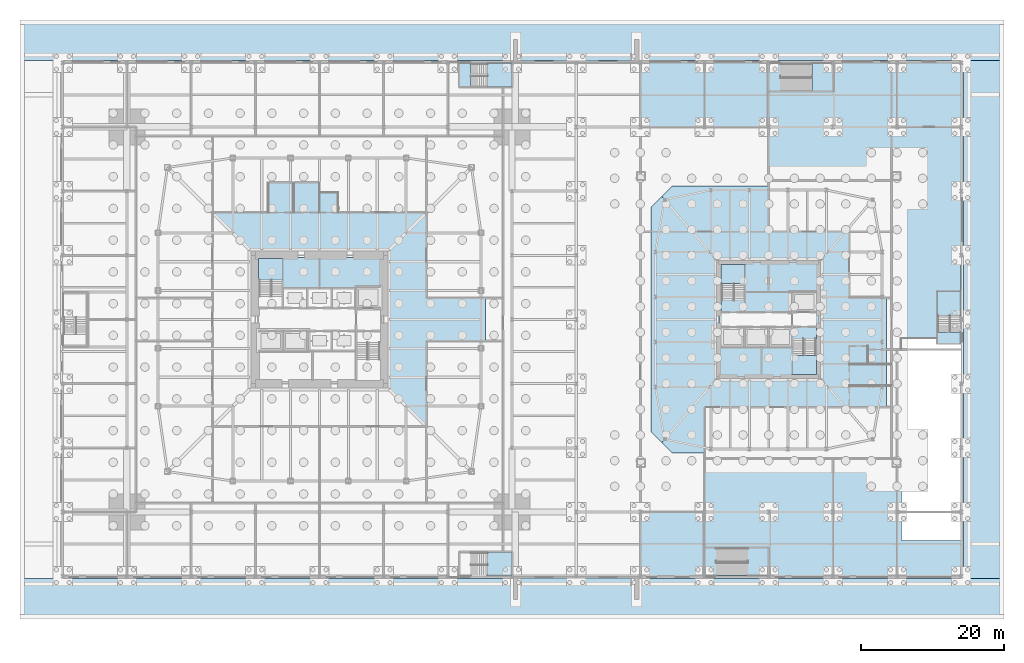
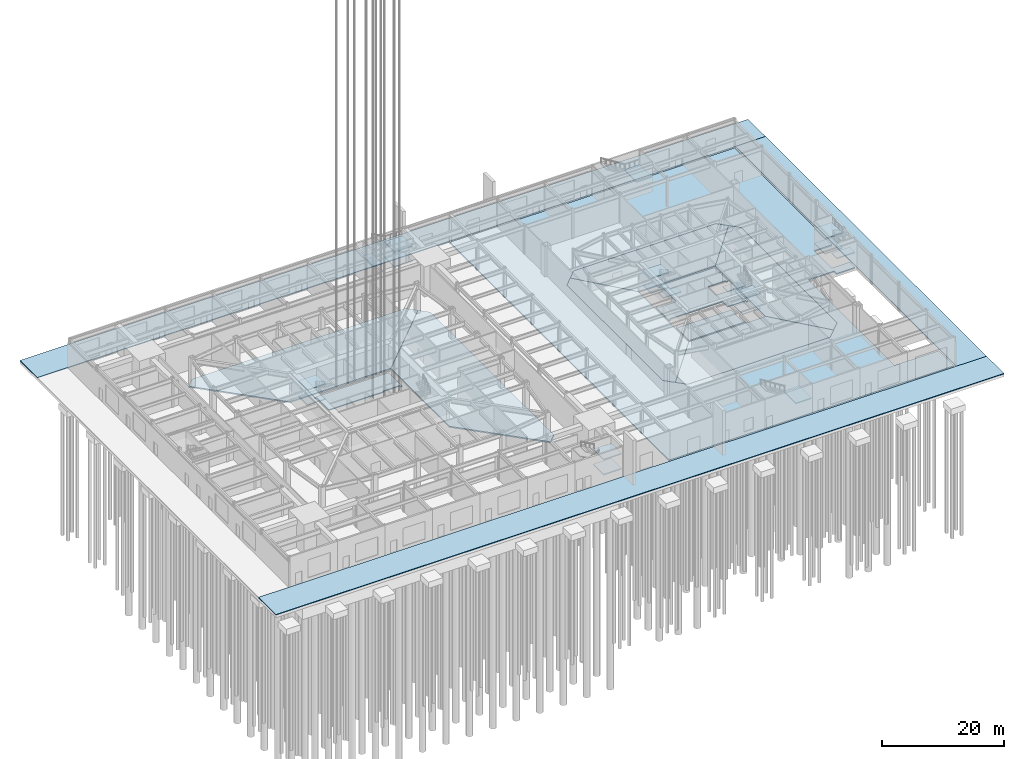
# One storey, part 12 of 37: 31 slabs, 8 elements without a shape of their own.
"""IFC4 building model written with IfcOpenShell, lengths in metres."""

from ifc_helpers import new_model, si_unit, direction, frame, origin, place, context, subcontext, project, spatial, polyline, outline, extrude, material, layer, layer_set, constituent, constituent_set, type_object, element, aggregate, save


model = new_model("IFC4")

# Units and contexts
model_context = context("Model", 3, precision=1e-05, world=origin(), true_north=direction((0.0, 1.0)))
body_context = subcontext(model_context, "Body", "Model", "MODEL_VIEW")
ifc_project = project(units=[si_unit("LENGTHUNIT", "METRE"), si_unit("AREAUNIT", "SQUARE_METRE"), si_unit("VOLUMEUNIT", "CUBIC_METRE"), si_unit("PLANEANGLEUNIT", "RADIAN"), si_unit("MASSUNIT", "GRAM", prefix="KILO")], contexts=[model_context])

# Site, building, storey
site_placement = place(None, origin())
site = spatial("IfcSite", under=ifc_project, at=site_placement, CompositionType="ELEMENT")
building_placement = place(site_placement, origin())
building = spatial("IfcBuilding", under=site, at=building_placement, Name="Iwan Alto Co-Living Towers", CompositionType="ELEMENT")
storey_placement = place(building_placement, origin())
storey = spatial("IfcBuildingStorey", under=building, at=storey_placement, Name="L00", CompositionType="ELEMENT", Elevation=0.0)

# Slabs
ifc_material_1 = material(Name="Concrete f'c 30 MPa", Category="concrete")
ifc_layer_1 = layer(ifc_material_1, 0.199951171875)
ifc_layer_set_1 = layer_set([ifc_layer_1], Name="CORE FLOOR SLAB 200")
slab_type_1 = type_object("IfcSlabType", Name="CORE FLOOR SLAB 200", PredefinedType="FLOOR", material=ifc_layer_set_1)
slab_1_placement = place(storey_placement, frame((0.0, 0.0, -0.199951171875)))
element("IfcSlab", 1, at=slab_1_placement, inside=storey, type_object=slab_type_1, Name="T1 core floor L00", PredefinedType="FLOOR", context=body_context, shape_type="SweptSolid", body=[
    extrude(outline(polyline([(1.717041015625, 4.39990234375), (-1.717041015625, 4.39990234375), (-5.14990234375, 4.39990234375), (-5.14990234375, 8.39990234375), (-5.4599609375, 8.39990234375), (-5.4599609375, 8.699951171875), (8.699951171875, 8.699951171875), (8.699951171875, 4.2900390625), (8.39990234375, 4.2900390625), (8.39990234375, 4.60009765625), (5.14990234375, 4.60009765625), (5.14990234375, 4.39990234375), (1.717041015625, 4.39990234375)])), origin(), (0.0, 0.0, 1.0), 0.199951171875),
])
slab_2_placement = place(storey_placement, frame((0.0, 0.0, -0.199951171875)))
element("IfcSlab", 2, at=slab_2_placement, inside=storey, type_object=slab_type_1, Name="T2 core floor L00", PredefinedType="FLOOR", context=body_context, shape_type="SweptSolid", body=[
    extrude(outline(polyline([(70.0, -3.030029296875), (69.699951171875, -3.030029296875), (69.699951171875, -2.719970703125), (66.300048828125, -2.719970703125), (66.300048828125, -1.050048828125), (62.967041015625, -1.050048828125), (59.633056640625, -1.050048828125), (56.300048828125, -1.050048828125), (56.300048828125, -1.360107421875), (56.0, -1.360107421875), (56.0, 3.030029296875), (56.300048828125, 3.030029296875), (56.300048828125, 2.719970703125), (59.699951171875, 2.719970703125), (59.699951171875, 7.699951171875), (59.389892578125, 7.699951171875), (59.389892578125, 8.0), (70.0, 8.0), (70.0, 3.5400390625), (69.699951171875, 3.5400390625), (69.699951171875, 3.85009765625), (66.300048828125, 3.85009765625), (66.300048828125, 1.050048828125), (69.699951171875, 1.050048828125), (69.699951171875, 1.360107421875), (70.0, 1.360107421875), (70.0, -3.030029296875)])), origin(), (0.0, 0.0, 1.0), 0.199951171875),
])
slab_3_placement = place(storey_placement, frame((0.0, 0.0, -0.199951171875)))
element("IfcSlab", 3, at=slab_3_placement, inside=storey, type_object=slab_type_1, Name="T2 core floor L00", PredefinedType="FLOOR", context=body_context, shape_type="SweptSolid", body=[
    extrude(outline(polyline([(62.967041015625, -3.85009765625), (66.300048828125, -3.85009765625), (66.300048828125, -7.699951171875), (66.610107421875, -7.699951171875), (66.610107421875, -8.0), (56.0, -8.0), (56.0, -3.5400390625), (56.300048828125, -3.5400390625), (56.300048828125, -3.85009765625), (59.633056640625, -3.85009765625), (62.967041015625, -3.85009765625)])), origin(), (0.0, 0.0, 1.0), 0.199951171875),
])
ifc_material_2 = material(Name="Basalt stone paving", Category="masonry")
ifc_layer_2 = layer(ifc_material_2, 0.050048828125, Name="Paving", Category="Finish")
ifc_material_3 = material(Name="Concrete f'c 25 MPa", Category="concrete")
ifc_layer_3 = layer(ifc_material_3, 0.10009765625, Name="Concrete base", Category="LoadBearing")
ifc_layer_set_2 = layer_set([ifc_layer_2, ifc_layer_3], Name="PAVING 150")
slab_type_2 = type_object("IfcSlabType", Name="PAVING 150", PredefinedType="USERDEFINED", material=ifc_layer_set_2)
slab_4_placement = place(storey_placement, frame((0.0, 0.0, -0.14990234375)))
element("IfcSlab", 4, at=slab_4_placement, inside=storey, type_object=slab_type_2, Name="Street paving S", ObjectType="PAVING", PredefinedType="USERDEFINED", context=body_context, shape_type="SweptSolid", body=[
    extrude(outline(polyline([(-42.0, -42.0), (96.0, -42.0), (96.0, -36.300048828125), (-42.0, -36.300048828125), (-42.0, -42.0)])), origin(), (0.0, 0.0, 1.0), 0.14990234375),
])
slab_5_placement = place(storey_placement, frame((0.0, 0.0, -0.14990234375)))
element("IfcSlab", 5, at=slab_5_placement, inside=storey, type_object=slab_type_2, Name="Street paving N", ObjectType="PAVING", PredefinedType="USERDEFINED", context=body_context, shape_type="SweptSolid", body=[
    extrude(outline(polyline([(-42.0, 36.300048828125), (96.0, 36.300048828125), (96.0, 42.0), (-42.0, 42.0), (-42.0, 36.300048828125)])), origin(), (0.0, 0.0, 1.0), 0.14990234375),
])
slab_6_placement = place(storey_placement, frame((0.0, 0.0, -0.14990234375)))
element("IfcSlab", 6, at=slab_6_placement, inside=storey, type_object=slab_type_2, Name="Street paving E", ObjectType="PAVING", PredefinedType="USERDEFINED", context=body_context, shape_type="SweptSolid", body=[
    extrude(outline(polyline([(90.300048828125, -36.300048828125), (96.0, -36.300048828125), (96.0, 36.300048828125), (90.300048828125, 36.300048828125), (90.300048828125, -36.300048828125)])), origin(), (0.0, 0.0, 1.0), 0.14990234375),
])
ifc_material_4 = material(Name="Concrete f'c 30 MPa", Category="concrete")
ifc_layer_4 = layer(ifc_material_4, 0.25)
ifc_layer_set_3 = layer_set([ifc_layer_4], Name="PODIUM FLOOR SLAB 250")
slab_type_3 = type_object("IfcSlabType", Name="PODIUM FLOOR SLAB 250", PredefinedType="FLOOR", material=ifc_layer_set_3)
slab_7_placement = place(storey_placement, frame((0.0, 0.0, -0.25)))
element("IfcSlab", 7, at=slab_7_placement, inside=storey, type_object=slab_type_3, Name="Podium floor slab L00 T1 E pour", PredefinedType="FLOOR", context=body_context, shape_type="SweptSolid", body=[
    extrude(outline(polyline([(23.25, 20.25), (23.25, -20.25), (21.75, -21.75), (9.60009765625, -9.60009765625), (9.60009765625, 9.60009765625), (21.75, 21.75), (23.25, 20.25)])), origin(), (0.0, 0.0, 1.0), 0.25),
])
slab_8_placement = place(storey_placement, frame((0.0, 0.0, -0.25)))
element("IfcSlab", 8, at=slab_8_placement, inside=storey, type_object=slab_type_3, Name="Podium floor slab L00 T1 N pour", PredefinedType="FLOOR", context=body_context, shape_type="SweptSolid", body=[
    extrude(outline(polyline([(-20.25, 23.25), (20.25, 23.25), (21.75, 21.75), (9.60009765625, 9.60009765625), (-9.60009765625, 9.60009765625), (-21.75, 21.75), (-20.25, 23.25)])), origin(), (0.0, 0.0, 1.0), 0.25),
])
slab_9_placement = place(storey_placement, frame((0.0, 0.0, -0.25)))
element("IfcSlab", 9, at=slab_9_placement, inside=storey, type_object=slab_type_3, Name="Podium floor slab L00 T2 S pour", PredefinedType="FLOOR", context=body_context, shape_type="SweptSolid", body=[
    extrude(outline(polyline([(76.5, -18.75), (49.5, -18.75), (48.00244140625, -17.25244140625), (55.699951171875, -8.300048828125), (70.300048828125, -8.300048828125), (77.99755859375, -17.25244140625), (76.5, -18.75)])), origin(), (0.0, 0.0, 1.0), 0.25),
])
slab_10_placement = place(storey_placement, frame((0.0, 0.0, -0.25)))
element("IfcSlab", 10, at=slab_10_placement, inside=storey, type_object=slab_type_3, Name="Podium floor slab L00 T2 E pour", PredefinedType="FLOOR", context=body_context, shape_type="SweptSolid", body=[
    extrude(outline(polyline([(79.5, 15.75), (79.5, -15.75), (77.99755859375, -17.25244140625), (70.300048828125, -8.300048828125), (70.300048828125, 8.300048828125), (77.99755859375, 17.25244140625), (79.5, 15.75)])), origin(), (0.0, 0.0, 1.0), 0.25),
])
slab_11_placement = place(storey_placement, frame((0.0, 0.0, -0.25)))
element("IfcSlab", 11, at=slab_11_placement, inside=storey, type_object=slab_type_3, Name="Podium floor slab L00 T2 N pour", PredefinedType="FLOOR", context=body_context, shape_type="SweptSolid", body=[
    extrude(outline(polyline([(49.5, 18.75), (76.5, 18.75), (77.99755859375, 17.25244140625), (70.300048828125, 8.300048828125), (55.699951171875, 8.300048828125), (48.00244140625, 17.25244140625), (49.5, 18.75)])), origin(), (0.0, 0.0, 1.0), 0.25),
])
slab_12_placement = place(storey_placement, frame((0.0, 0.0, -0.25)))
element("IfcSlab", 12, at=slab_12_placement, inside=storey, type_object=slab_type_3, Name="Podium floor slab L00 T2 W pour", PredefinedType="FLOOR", context=body_context, shape_type="SweptSolid", body=[
    extrude(outline(polyline([(46.5, 15.75), (48.00244140625, 17.25244140625), (55.699951171875, 8.300048828125), (55.699951171875, -8.300048828125), (48.00244140625, -17.25244140625), (46.5, -15.75), (46.5, 15.75)])), origin(), (0.0, 0.0, 1.0), 0.25),
])
slab_13_placement = place(storey_placement, frame((0.0, 0.0, -0.25)))
element("IfcSlab", 13, at=slab_13_placement, inside=storey, type_object=slab_type_3, Name="Podium floor slab L00 T2 side pour", PredefinedType="FLOOR", context=body_context, shape_type="SweptSolid", body=[
    extrude(outline(polyline([(90.0, 36.0), (90.0, 4.0), (86.60009765625, 4.0), (86.60009765625, -1.72998046875), (90.0, -1.72998046875), (90.0, -3.5), (86.5, -3.5), (86.5, -2.679931640625), (81.60009765625, -2.679931640625), (81.60009765625, -31.0), (90.0, -31.0), (90.0, -36.0), (36.0, -36.0), (36.0, 36.0), (90.0, 36.0)]), holes=[polyline([(76.5, -18.75), (79.5, -15.75), (79.5, 15.75), (76.5, 18.75), (49.5, 18.75), (46.5, 15.75), (46.5, -15.75), (49.5, -18.75), (76.5, -18.75)])]), origin(), (0.0, 0.0, 1.0), 0.25),
])

# Stair, slabs
ifc_material_5 = material(Name="Steel ASTM A36", Category="steel")
ifc_constituent_1 = constituent(ifc_material_5, Name="Stringers", Category="LoadBearing")
ifc_material_6 = material(Name="Concrete f'c 30 MPa", Category="concrete")
ifc_constituent_2 = constituent(ifc_material_6, Name="Tread fill", Category="Finish")
ifc_constituent_set_1 = constituent_set(constituents=[ifc_constituent_1, ifc_constituent_2], Name="STAIR 6000 FOUR-FLIGHT PODIUM")
stair_type_1 = type_object("IfcStairType", Name="STAIR 6000 FOUR-FLIGHT PODIUM", PredefinedType="HALF_TURN_STAIR", material=ifc_constituent_set_1)
stair_1_placement = place(storey_placement, origin())
stair_1 = element("IfcStair", 14, at=stair_1_placement, inside=storey, type_object=stair_type_1, Name="Stair PS2 L00 to L01", PredefinedType="HALF_TURN_STAIR")
ifc_material_7 = material(Name="Concrete f'c 30 MPa", Category="concrete")
ifc_layer_5 = layer(ifc_material_7, 0.199951171875)
ifc_layer_set_4 = layer_set([ifc_layer_5], Name="STAIR LANDING 200")
slab_type_4 = type_object("IfcSlabType", Name="STAIR LANDING 200", PredefinedType="LANDING", material=ifc_layer_set_4)
slab_14_placement = place(storey_placement, frame((0.0, 0.0, 1.300048828125)))
slab_14 = element("IfcSlab", 15, at=slab_14_placement, type_object=slab_type_4, Name="PS2 landing 1", PredefinedType="LANDING", context=body_context, shape_type="SweptSolid", body=[
    extrude(outline(polyline([(86.60009765625, 0.570068359375), (86.60009765625, 4.0), (90.0, 4.0), (90.0, 0.570068359375), (86.60009765625, 0.570068359375)])), origin(), (0.0, 0.0, 1.0), 0.199951171875),
])
slab_15_placement = place(storey_placement, frame((0.0, 0.0, 2.800048828125)))
slab_15 = element("IfcSlab", 16, at=slab_15_placement, type_object=slab_type_4, Name="PS2 landing 2", PredefinedType="LANDING", context=body_context, shape_type="SweptSolid", body=[
    extrude(outline(polyline([(86.60009765625, -3.39990234375), (86.60009765625, -1.72998046875), (90.0, -1.72998046875), (90.0, -3.39990234375), (86.60009765625, -3.39990234375)])), origin(), (0.0, 0.0, 1.0), 0.199951171875),
])
slab_16_placement = place(storey_placement, frame((0.0, 0.0, 4.300048828125)))
slab_16 = element("IfcSlab", 17, at=slab_16_placement, type_object=slab_type_4, Name="PS2 landing 3", PredefinedType="LANDING", context=body_context, shape_type="SweptSolid", body=[
    extrude(outline(polyline([(86.60009765625, 0.570068359375), (86.60009765625, 4.0), (90.0, 4.0), (90.0, 0.570068359375), (86.60009765625, 0.570068359375)])), origin(), (0.0, 0.0, 1.0), 0.199951171875),
])
aggregate(stair_1, [slab_14, slab_15, slab_16])

stair_2_placement = place(storey_placement, origin())
stair_2 = element("IfcStair", 18, at=stair_2_placement, inside=storey, type_object=stair_type_1, Name="Stair PS3 L00 to L01", PredefinedType="HALF_TURN_STAIR")
slab_17_placement = place(storey_placement, frame((0.0, 0.0, 1.300048828125)))
slab_17 = element("IfcSlab", 19, at=slab_17_placement, type_object=slab_type_4, Name="PS3 landing 1", PredefinedType="LANDING", context=body_context, shape_type="SweptSolid", body=[
    extrude(outline(polyline([(23.570068359375, 32.60009765625), (27.0, 32.60009765625), (27.0, 36.0), (23.570068359375, 36.0), (23.570068359375, 32.60009765625)])), origin(), (0.0, 0.0, 1.0), 0.199951171875),
])
slab_18_placement = place(storey_placement, frame((0.0, 0.0, 2.800048828125)))
slab_18 = element("IfcSlab", 20, at=slab_18_placement, type_object=slab_type_4, Name="PS3 landing 2", PredefinedType="LANDING", context=body_context, shape_type="SweptSolid", body=[
    extrude(outline(polyline([(19.60009765625, 32.60009765625), (21.27001953125, 32.60009765625), (21.27001953125, 36.0), (19.60009765625, 36.0), (19.60009765625, 32.60009765625)])), origin(), (0.0, 0.0, 1.0), 0.199951171875),
])
slab_19_placement = place(storey_placement, frame((0.0, 0.0, 4.300048828125)))
slab_19 = element("IfcSlab", 21, at=slab_19_placement, type_object=slab_type_4, Name="PS3 landing 3", PredefinedType="LANDING", context=body_context, shape_type="SweptSolid", body=[
    extrude(outline(polyline([(23.570068359375, 32.60009765625), (27.0, 32.60009765625), (27.0, 36.0), (23.570068359375, 36.0), (23.570068359375, 32.60009765625)])), origin(), (0.0, 0.0, 1.0), 0.199951171875),
])
aggregate(stair_2, [slab_17, slab_18, slab_19])

stair_3_placement = place(storey_placement, origin())
stair_3 = element("IfcStair", 22, at=stair_3_placement, inside=storey, type_object=stair_type_1, Name="Stair PS4 L00 to L01", PredefinedType="HALF_TURN_STAIR")
slab_20_placement = place(storey_placement, frame((0.0, 0.0, 1.300048828125)))
slab_20 = element("IfcSlab", 23, at=slab_20_placement, type_object=slab_type_4, Name="PS4 landing 1", PredefinedType="LANDING", context=body_context, shape_type="SweptSolid", body=[
    extrude(outline(polyline([(23.570068359375, -36.0), (27.0, -36.0), (27.0, -32.60009765625), (23.570068359375, -32.60009765625), (23.570068359375, -36.0)])), origin(), (0.0, 0.0, 1.0), 0.199951171875),
])
slab_21_placement = place(storey_placement, frame((0.0, 0.0, 4.300048828125)))
slab_21 = element("IfcSlab", 24, at=slab_21_placement, type_object=slab_type_4, Name="PS4 landing 3", PredefinedType="LANDING", context=body_context, shape_type="SweptSolid", body=[
    extrude(outline(polyline([(23.570068359375, -36.0), (27.0, -36.0), (27.0, -32.60009765625), (23.570068359375, -32.60009765625), (23.570068359375, -36.0)])), origin(), (0.0, 0.0, 1.0), 0.199951171875),
])
aggregate(stair_3, [slab_20, slab_21])

# Stair, slab
ifc_constituent_3 = constituent(ifc_material_5, Name="Stringers", Category="LoadBearing")
ifc_constituent_4 = constituent(ifc_material_6, Name="Tread fill", Category="Finish")
ifc_constituent_set_2 = constituent_set(constituents=[ifc_constituent_3, ifc_constituent_4], Name="STAIR 6000 TWO-FLIGHT PODIUM 1800 WIDE")
stair_type_2 = type_object("IfcStairType", Name="STAIR 6000 TWO-FLIGHT PODIUM 1800 WIDE", PredefinedType="HALF_TURN_STAIR", material=ifc_constituent_set_2)
stair_4_placement = place(storey_placement, origin())
stair_4 = element("IfcStair", 25, at=stair_4_placement, inside=storey, type_object=stair_type_2, Name="Stair PS5 L00 to L01", PredefinedType="HALF_TURN_STAIR")
slab_22_placement = place(storey_placement, frame((0.0, 0.0, 2.800048828125)))
slab_22 = element("IfcSlab", 26, at=slab_22_placement, type_object=slab_type_4, Name="PS5 landing 1", PredefinedType="LANDING", context=body_context, shape_type="SweptSolid", body=[
    extrude(outline(polyline([(69.050048828125, 31.9599609375), (72.0, 31.9599609375), (72.0, 36.0), (69.050048828125, 36.0), (69.050048828125, 31.9599609375)])), origin(), (0.0, 0.0, 1.0), 0.199951171875),
])
aggregate(stair_4, [slab_22])

stair_5_placement = place(storey_placement, origin())
stair_5 = element("IfcStair", 27, at=stair_5_placement, inside=storey, type_object=stair_type_2, Name="Stair PS6 L00 to L01", PredefinedType="HALF_TURN_STAIR")
slab_23_placement = place(storey_placement, frame((0.0, 0.0, 2.800048828125)))
slab_23 = element("IfcSlab", 28, at=slab_23_placement, type_object=slab_type_4, Name="PS6 landing 1", PredefinedType="LANDING", context=body_context, shape_type="SweptSolid", body=[
    extrude(outline(polyline([(60.050048828125, -36.0), (63.0, -36.0), (63.0, -31.9599609375), (60.050048828125, -31.9599609375), (60.050048828125, -36.0)])), origin(), (0.0, 0.0, 1.0), 0.199951171875),
])
aggregate(stair_5, [slab_23])

# Stair, slabs
ifc_constituent_5 = constituent(ifc_material_5, Name="Stringers", Category="LoadBearing")
ifc_constituent_6 = constituent(ifc_material_6, Name="Tread fill", Category="Finish")
ifc_constituent_set_3 = constituent_set(constituents=[ifc_constituent_5, ifc_constituent_6], Name="STAIR 6000 FOUR-FLIGHT T1 CORE")
stair_type_3 = type_object("IfcStairType", Name="STAIR 6000 FOUR-FLIGHT T1 CORE", PredefinedType="HALF_TURN_STAIR", material=ifc_constituent_set_3)
stair_6_placement = place(storey_placement, origin())
stair_6 = element("IfcStair", 29, at=stair_6_placement, inside=storey, type_object=stair_type_3, Name="Stair T1-S1 L00 to L01", PredefinedType="HALF_TURN_STAIR")
slab_24_placement = place(storey_placement, frame((0.0, 0.0, 1.300048828125)))
slab_24 = element("IfcSlab", 30, at=slab_24_placement, type_object=slab_type_4, Name="T1-S1 landing 1", PredefinedType="LANDING", context=body_context, shape_type="SweptSolid", body=[
    extrude(outline(polyline([(-8.550048828125, 5.570068359375), (-8.550048828125, 8.550048828125), (-5.14990234375, 8.550048828125), (-5.14990234375, 5.570068359375), (-8.550048828125, 5.570068359375)])), origin(), (0.0, 0.0, 1.0), 0.199951171875),
])
slab_25_placement = place(storey_placement, frame((0.0, 0.0, 4.300048828125)))
slab_25 = element("IfcSlab", 31, at=slab_25_placement, type_object=slab_type_4, Name="T1-S1 landing 3", PredefinedType="LANDING", context=body_context, shape_type="SweptSolid", body=[
    extrude(outline(polyline([(-8.550048828125, 5.570068359375), (-8.550048828125, 8.550048828125), (-5.14990234375, 8.550048828125), (-5.14990234375, 5.570068359375), (-8.550048828125, 5.570068359375)])), origin(), (0.0, 0.0, 1.0), 0.199951171875),
])
aggregate(stair_6, [slab_24, slab_25])

ifc_constituent_7 = constituent(ifc_material_5, Name="Stringers", Category="LoadBearing")
ifc_constituent_8 = constituent(ifc_material_6, Name="Tread fill", Category="Finish")
ifc_constituent_set_4 = constituent_set(constituents=[ifc_constituent_7, ifc_constituent_8], Name="STAIR 6000 FOUR-FLIGHT T2 CORE")
stair_type_4 = type_object("IfcStairType", Name="STAIR 6000 FOUR-FLIGHT T2 CORE", PredefinedType="HALF_TURN_STAIR", material=ifc_constituent_set_4)
stair_7_placement = place(storey_placement, origin())
stair_7 = element("IfcStair", 32, at=stair_7_placement, inside=storey, type_object=stair_type_4, Name="Stair T2-S1 L00 to L01", PredefinedType="HALF_TURN_STAIR")
slab_26_placement = place(storey_placement, frame((0.0, 0.0, 1.300048828125)))
slab_26 = element("IfcSlab", 33, at=slab_26_placement, type_object=slab_type_4, Name="T2-S1 landing 1", PredefinedType="LANDING", context=body_context, shape_type="SweptSolid", body=[
    extrude(outline(polyline([(56.300048828125, 5.02001953125), (56.300048828125, 7.699951171875), (59.699951171875, 7.699951171875), (59.699951171875, 5.02001953125), (56.300048828125, 5.02001953125)])), origin(), (0.0, 0.0, 1.0), 0.199951171875),
])
slab_27_placement = place(storey_placement, frame((0.0, 0.0, 2.800048828125)))
slab_27 = element("IfcSlab", 34, at=slab_27_placement, type_object=slab_type_4, Name="T2-S1 landing 2", PredefinedType="LANDING", context=body_context, shape_type="SweptSolid", body=[
    extrude(outline(polyline([(56.300048828125, 1.050048828125), (56.300048828125, 2.719970703125), (59.699951171875, 2.719970703125), (59.699951171875, 1.050048828125), (56.300048828125, 1.050048828125)])), origin(), (0.0, 0.0, 1.0), 0.199951171875),
])
slab_28_placement = place(storey_placement, frame((0.0, 0.0, 4.300048828125)))
slab_28 = element("IfcSlab", 35, at=slab_28_placement, type_object=slab_type_4, Name="T2-S1 landing 3", PredefinedType="LANDING", context=body_context, shape_type="SweptSolid", body=[
    extrude(outline(polyline([(56.300048828125, 5.02001953125), (56.300048828125, 7.699951171875), (59.699951171875, 7.699951171875), (59.699951171875, 5.02001953125), (56.300048828125, 5.02001953125)])), origin(), (0.0, 0.0, 1.0), 0.199951171875),
])
aggregate(stair_7, [slab_26, slab_27, slab_28])

stair_8_placement = place(storey_placement, origin())
stair_8 = element("IfcStair", 36, at=stair_8_placement, inside=storey, type_object=stair_type_4, Name="Stair T2-S2 L00 to L01", PredefinedType="HALF_TURN_STAIR")
slab_29_placement = place(storey_placement, frame((0.0, 0.0, 1.300048828125)))
slab_29 = element("IfcSlab", 37, at=slab_29_placement, type_object=slab_type_4, Name="T2-S2 landing 1", PredefinedType="LANDING", context=body_context, shape_type="SweptSolid", body=[
    extrude(outline(polyline([(66.300048828125, -5.02001953125), (66.300048828125, -7.699951171875), (69.699951171875, -7.699951171875), (69.699951171875, -5.02001953125), (66.300048828125, -5.02001953125)])), origin(), (0.0, 0.0, 1.0), 0.199951171875),
])
slab_30_placement = place(storey_placement, frame((0.0, 0.0, 2.800048828125)))
slab_30 = element("IfcSlab", 38, at=slab_30_placement, type_object=slab_type_4, Name="T2-S2 landing 2", PredefinedType="LANDING", context=body_context, shape_type="SweptSolid", body=[
    extrude(outline(polyline([(66.300048828125, -1.050048828125), (66.300048828125, -2.719970703125), (69.699951171875, -2.719970703125), (69.699951171875, -1.050048828125), (66.300048828125, -1.050048828125)])), origin(), (0.0, 0.0, 1.0), 0.199951171875),
])
slab_31_placement = place(storey_placement, frame((0.0, 0.0, 4.300048828125)))
slab_31 = element("IfcSlab", 39, at=slab_31_placement, type_object=slab_type_4, Name="T2-S2 landing 3", PredefinedType="LANDING", context=body_context, shape_type="SweptSolid", body=[
    extrude(outline(polyline([(66.300048828125, -5.02001953125), (66.300048828125, -7.699951171875), (69.699951171875, -7.699951171875), (69.699951171875, -5.02001953125), (66.300048828125, -5.02001953125)])), origin(), (0.0, 0.0, 1.0), 0.199951171875),
])
aggregate(stair_8, [slab_29, slab_30, slab_31])

save(model, "model.ifc")
